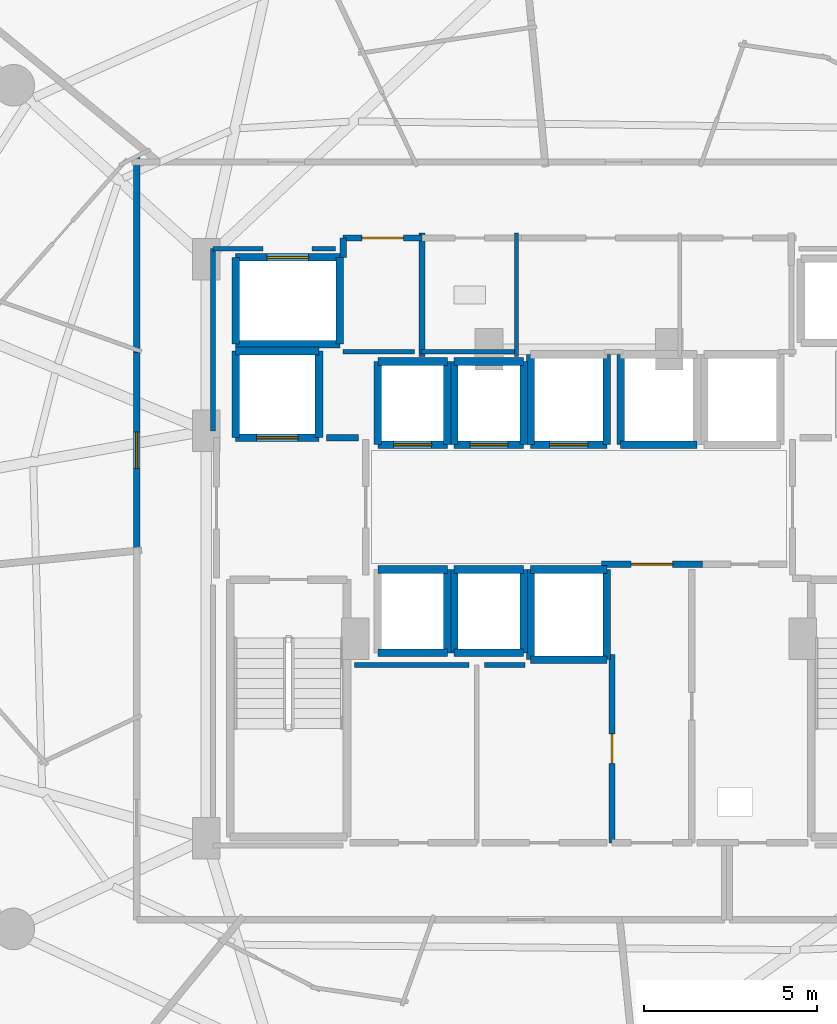
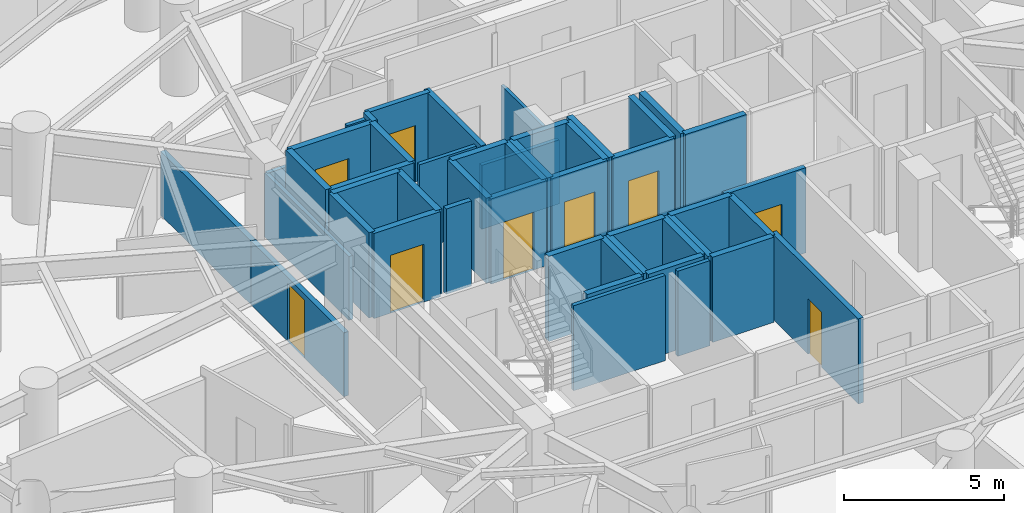
# One storey, part 24 of 30: 48 walls, 9 doors, 9 openings.
"""IFC4 building model written with IfcOpenShell, lengths in metres."""

from ifc_helpers import new_model, si_unit, direction, frame, frame_2d, origin, place, context, subcontext, project, spatial, rectangle, extrude, material, layer, layer_set, type_object, element, fill, save


model = new_model("IFC4")

# Units and contexts
model_context = context("Model", 3, precision=1e-05, world=origin(), true_north=direction((0.0, 1.0)))
body_context = subcontext(model_context, "Body", "Model", "MODEL_VIEW")
ifc_project = project(units=[si_unit("LENGTHUNIT", "METRE"), si_unit("AREAUNIT", "SQUARE_METRE"), si_unit("VOLUMEUNIT", "CUBIC_METRE"), si_unit("PLANEANGLEUNIT", "RADIAN"), si_unit("MASSUNIT", "GRAM", prefix="KILO")], contexts=[model_context])

# Site, building, storey
site_placement = place(None, origin())
site = spatial("IfcSite", under=ifc_project, at=site_placement, CompositionType="ELEMENT")
building_placement = place(site_placement, origin())
building = spatial("IfcBuilding", under=site, at=building_placement, Name="Vorneva Point Tower", CompositionType="ELEMENT")
storey_placement = place(building_placement, frame((0.0, 0.0, 55.5)))
storey = spatial("IfcBuildingStorey", under=building, at=storey_placement, Name="L14", CompositionType="ELEMENT", Elevation=55.5)

# Wall, opening, door
ifc_material_1 = material(Name="Concrete B60 (C50/60)", Category="concrete")
ifc_layer_1 = layer(ifc_material_1, 0.5)
ifc_layer_set_1 = layer_set([ifc_layer_1], Name="Concrete B60 (C50/60)")
wall_type_1 = type_object("IfcWallType", Name="WL-CORE-500", PredefinedType="SHEAR", material=ifc_layer_set_1)
wall_1_placement = place(storey_placement, frame((28.10009765625, 28.0, 0.0), z_axis=(0.0, 0.0, 1.0), x_axis=(1.0, 0.0, 0.0)))
wall_1 = element("IfcWall", 1, at=wall_1_placement, inside=storey, type_object=wall_type_1, Name="L14 Lift FFL1 Shaft Wall -Y", PredefinedType="SHEAR", context=body_context, shape_type="SweptSolid", body=[
    extrude(rectangle(XDim=2.39990234375, YDim=0.219970703125, at=frame_2d((1.199951171875, 0.0))), origin(), (0.0, 0.0, 1.0), 3.239990234375),
])
opening_1_placement = place(wall_1_placement, frame((0.60009765625, 0.0, 0.0)))
opening_1 = element("IfcOpeningElement", 2, at=opening_1_placement, cuts=wall_1, Name="Opening LD-02", PredefinedType="OPENING", context=body_context, shape_type="SweptSolid", body=[
    extrude(rectangle(XDim=1.199951171875, YDim=2.199951171875, at=frame_2d((0.60009765625, 1.10009765625))), frame((0.0, 0.125, 0.0), z_axis=(0.0, -1.0, 0.0), x_axis=(1.0, 0.0, 0.0)), (0.0, 0.0, 1.0), 0.249755859375),
])
ifc_material_2 = material(Name="Brushed stainless steel S304", Category="steel")
door_type_1 = type_object("IfcDoorType", Name="LD-FIRE-1200", OperationType="SLIDING_TO_LEFT", PredefinedType="DOOR", material=ifc_material_2)
door_1_placement = place(opening_1_placement, origin())
door_1 = element("IfcDoor", 3, at=door_1_placement, inside=storey, type_object=door_type_1, Name="L14 Lift FFL1 Sliding Landing Door", OperationType="SLIDING_TO_LEFT", OverallHeight=2.199951171875, OverallWidth=1.199951171875, PredefinedType="DOOR", context=body_context, shape_type="SweptSolid", body=[
    extrude(rectangle(XDim=1.199951171875, YDim=2.199951171875, at=frame_2d((0.60009765625, 1.10009765625))), frame((0.0, 0.02490234375, 0.0), z_axis=(0.0, -1.0, 0.0), x_axis=(1.0, 0.0, 0.0)), (0.0, 0.0, 1.0), 0.050048828125),
])
fill(opening_1, door_1)

# Walls
wall_2_placement = place(storey_placement, frame((30.5, 28.0, 0.0), z_axis=(0.0, 0.0, 1.0), x_axis=(0.0, 1.0, 0.0)))
element("IfcWall", 4, at=wall_2_placement, inside=storey, type_object=wall_type_1, Name="L14 Lift FFL1 Shaft Wall +X", PredefinedType="SHEAR", context=body_context, shape_type="SweptSolid", body=[
    extrude(rectangle(XDim=2.5, YDim=0.219970703125, at=frame_2d((1.25, 0.0))), origin(), (0.0, 0.0, 1.0), 3.239990234375),
])
wall_3_placement = place(storey_placement, frame((30.5, 30.5, 0.0), z_axis=(0.0, 0.0, 1.0), x_axis=(-1.0, 0.0, 0.0)))
element("IfcWall", 5, at=wall_3_placement, inside=storey, type_object=wall_type_1, Name="L14 Lift FFL1 Shaft Wall +Y", PredefinedType="SHEAR", context=body_context, shape_type="SweptSolid", body=[
    extrude(rectangle(XDim=2.39990234375, YDim=0.219970703125, at=frame_2d((1.199951171875, 0.0))), origin(), (0.0, 0.0, 1.0), 3.239990234375),
])
wall_4_placement = place(storey_placement, frame((28.10009765625, 30.5, 0.0), z_axis=(0.0, 0.0, 1.0), x_axis=(0.0, -1.0, 0.0)))
element("IfcWall", 6, at=wall_4_placement, inside=storey, type_object=wall_type_1, Name="L14 Lift FFL1 Shaft Wall -X", PredefinedType="SHEAR", context=body_context, shape_type="SweptSolid", body=[
    extrude(rectangle(XDim=2.5, YDim=0.219970703125, at=frame_2d((1.25, 0.0))), origin(), (0.0, 0.0, 1.0), 3.239990234375),
])
ifc_material_3 = material(Name="Fire-rated acoustic gypsum stud partition", Category="gypsum")
ifc_layer_2 = layer(ifc_material_3, 0.110107421875)
ifc_layer_set_2 = layer_set([ifc_layer_2], Name="Fire-rated acoustic gypsum stud partition")
wall_type_2 = type_object("IfcWallType", Name="WL-PART-110", PredefinedType="PARTITIONING", material=ifc_layer_set_2)
wall_5_placement = place(storey_placement, frame((36.199951171875, 30.340087890625, 0.0), z_axis=(0.0, 0.0, 1.0), x_axis=(0.0, 1.0, 0.0)))
element("IfcWall", 7, at=wall_5_placement, inside=storey, type_object=wall_type_2, Name="L14 Interior Partition 015", PredefinedType="PARTITIONING", context=body_context, shape_type="SweptSolid", body=[
    extrude(rectangle(XDim=3.559814453125, YDim=0.110107421875, at=frame_2d((1.77978515625, 0.0))), origin(), (0.0, 0.0, 1.0), 2.431884765625),
])
ifc_layer_3 = layer(ifc_material_3, 0.139892578125)
ifc_layer_set_3 = layer_set([ifc_layer_3], Name="Fire-rated acoustic gypsum stud partition")
wall_type_3 = type_object("IfcWallType", Name="WL-PART-140", PredefinedType="PARTITIONING", material=ifc_layer_set_3)
wall_6_placement = place(storey_placement, frame((31.199951171875, 30.47998046875, 0.0), z_axis=(0.0, 0.0, 1.0), x_axis=(1.0, 0.0, 0.0)))
element("IfcWall", 8, at=wall_6_placement, inside=storey, type_object=wall_type_3, Name="L14 Interior Closure Partition 097", PredefinedType="PARTITIONING", context=body_context, shape_type="SweptSolid", body=[
    extrude(rectangle(XDim=2.050048828125, YDim=0.139892578125, at=frame_2d((1.02490234375, 0.0))), origin(), (0.0, 0.0, 1.0), 3.239990234375),
])
wall_7_placement = place(storey_placement, frame((33.43994140625, 30.47998046875, 0.0), z_axis=(0.0, 0.0, 1.0), x_axis=(1.0, 0.0, 0.0)))
element("IfcWall", 9, at=wall_7_placement, inside=storey, type_object=wall_type_3, Name="L14 Interior Closure Partition 098", PredefinedType="PARTITIONING", context=body_context, shape_type="SweptSolid", body=[
    extrude(rectangle(XDim=2.7900390625, YDim=0.139892578125, at=frame_2d((1.39501953125, 0.0))), origin(), (0.0, 0.0, 1.0), 2.431884765625),
])
wall_8_placement = place(storey_placement, frame((34.830078125, 21.449951171875, 0.0), z_axis=(0.0, 0.0, 1.0), x_axis=(-1.0, 0.0, 0.0)))
element("IfcWall", 10, at=wall_8_placement, inside=storey, type_object=wall_type_3, Name="L14 Interior Closure Partition 102", PredefinedType="PARTITIONING", context=body_context, shape_type="SweptSolid", body=[
    extrude(rectangle(XDim=3.300048828125, YDim=0.139892578125, at=frame_2d((1.64990234375, 0.0))), origin(), (0.0, 0.0, 1.0), 3.239990234375),
])
wall_9_placement = place(storey_placement, frame((36.43896484375, 21.449951171875, 0.0), z_axis=(0.0, 0.0, 1.0), x_axis=(-1.0, 0.0, 0.0)))
element("IfcWall", 11, at=wall_9_placement, inside=storey, type_object=wall_type_3, Name="L14 Interior Closure Partition 103", PredefinedType="PARTITIONING", context=body_context, shape_type="SweptSolid", body=[
    extrude(rectangle(XDim=1.158935546875, YDim=0.139892578125, at=frame_2d((0.57958984375, 0.0))), origin(), (0.0, 0.0, 1.0), 3.239990234375),
])
wall_10_placement = place(storey_placement, frame((27.449951171875, 28.196044921875, 0.0), z_axis=(0.0, 0.0, 1.0), x_axis=(0.0, 1.0, 0.0)))
element("IfcWall", 12, at=wall_10_placement, inside=storey, type_object=wall_type_3, Name="L14 Interior Closure Partition 110", PredefinedType="PARTITIONING", context=body_context, shape_type="SweptSolid", body=[
    extrude(rectangle(XDim=5.25390625, YDim=0.139892578125, at=frame_2d((2.626953125, 0.0))), origin(), (0.0, 0.0, 1.0), 2.431884765625),
])
wall_11_placement = place(storey_placement, frame((27.449951171875, 33.449951171875, 0.0), z_axis=(0.0, 0.0, 1.0), x_axis=(1.0, 0.0, 0.0)))
element("IfcWall", 13, at=wall_11_placement, inside=storey, type_object=wall_type_3, Name="L14 Interior Closure Partition 111", PredefinedType="PARTITIONING", context=body_context, shape_type="SweptSolid", body=[
    extrude(rectangle(XDim=1.444091796875, YDim=0.139892578125, at=frame_2d((0.72216796875, 0.0))), origin(), (0.0, 0.0, 1.0), 2.431884765625),
])
wall_12_placement = place(storey_placement, frame((30.305908203125, 33.449951171875, 0.0), z_axis=(0.0, 0.0, 1.0), x_axis=(1.0, 0.0, 0.0)))
element("IfcWall", 14, at=wall_12_placement, inside=storey, type_object=wall_type_3, Name="L14 Interior Closure Partition 112", PredefinedType="PARTITIONING", context=body_context, shape_type="SweptSolid", body=[
    extrude(rectangle(XDim=0.674072265625, YDim=0.139892578125, at=frame_2d((0.3369140625, 0.0))), origin(), (0.0, 0.0, 1.0), 3.239990234375),
])
ifc_material_4 = material(Name="Autoclaved aerated concrete blockwork", Category="masonry")
ifc_layer_4 = layer(ifc_material_4, 0.179931640625)
ifc_layer_set_4 = layer_set([ifc_layer_4], Name="Autoclaved aerated concrete blockwork")
wall_type_4 = type_object("IfcWallType", Name="WL-PART-180", PredefinedType="PARTITIONING", material=ifc_layer_set_4)
wall_13_placement = place(storey_placement, frame((33.469970703125, 30.340087890625, 0.0), z_axis=(0.0, 0.0, 1.0), x_axis=(0.0, 1.0, 0.0)))
element("IfcWall", 15, at=wall_13_placement, inside=storey, type_object=wall_type_4, Name="L14 Interior Partition 006", PredefinedType="PARTITIONING", context=body_context, shape_type="SweptSolid", body=[
    extrude(rectangle(XDim=3.559814453125, YDim=0.179931640625, at=frame_2d((1.77978515625, 0.0))), origin(), (0.0, 0.0, 1.0), 3.239990234375),
])

# Wall, opening, door
wall_14_placement = place(storey_placement, frame((33.469970703125, 33.760009765625, 0.0), z_axis=(0.0, 0.0, 1.0), x_axis=(-1.0, 0.0, 0.0)))
wall_14 = element("IfcWall", 16, at=wall_14_placement, inside=storey, type_object=wall_type_4, Name="L14 Interior Partition 007", PredefinedType="PARTITIONING", context=body_context, shape_type="SweptSolid", body=[
    extrude(rectangle(XDim=2.27001953125, YDim=0.179931640625, at=frame_2d((1.135009765625, 0.0))), origin(), (0.0, 0.0, 1.0), 3.239990234375),
])
opening_2_placement = place(wall_14_placement, frame((0.534912109375, 0.0, 0.0)))
opening_2 = element("IfcOpeningElement", 17, at=opening_2_placement, cuts=wall_14, Name="Opening FD-02", PredefinedType="OPENING", context=body_context, shape_type="SweptSolid", body=[
    extrude(rectangle(XDim=1.199951171875, YDim=2.14990234375, at=frame_2d((0.60009765625, 1.074951171875))), frame((0.0, 0.10498046875, 0.0), z_axis=(0.0, -1.0, 0.0), x_axis=(1.0, 0.0, 0.0)), (0.0, 0.0, 1.0), 0.209716796875),
])
ifc_material_5 = material(Name="Fire-rated powder-coated steel", Category="steel")
door_type_2 = type_object("IfcDoorType", Name="DR-FFL-1200", OperationType="NOTDEFINED", PredefinedType="DOOR", material=ifc_material_5)
door_2_placement = place(opening_2_placement, origin())
door_2 = element("IfcDoor", 18, at=door_2_placement, inside=storey, type_object=door_type_2, Name="L14 Door Service Lift Lobby / L14 Circulation Corridor", OperationType="SINGLE_SWING_RIGHT", OverallHeight=2.14990234375, OverallWidth=1.199951171875, PredefinedType="DOOR", context=body_context, shape_type="SweptSolid", body=[
    extrude(rectangle(XDim=1.199951171875, YDim=2.14990234375, at=frame_2d((0.60009765625, 1.074951171875))), frame((0.0, 0.02490234375, 0.0), z_axis=(0.0, -1.0, 0.0), x_axis=(1.0, 0.0, 0.0)), (0.0, 0.0, 1.0), 0.050048828125),
])
fill(opening_2, door_2)

# Wall
wall_15_placement = place(storey_placement, frame((31.199951171875, 33.760009765625, 0.0), z_axis=(0.0, 0.0, 1.0), x_axis=(0.0, -1.0, 0.0)))
element("IfcWall", 19, at=wall_15_placement, inside=storey, type_object=wall_type_4, Name="L14 Interior Partition 008", PredefinedType="PARTITIONING", context=body_context, shape_type="SweptSolid", body=[
    extrude(rectangle(XDim=0.56005859375, YDim=0.179931640625, at=frame_2d((0.280029296875, 0.0))), origin(), (0.0, 0.0, 1.0), 3.239990234375),
])

# Wall, opening, door
wall_16_placement = place(storey_placement, frame((38.64501953125, 24.35009765625, 0.0), z_axis=(0.0, 0.0, 1.0), x_axis=(1.0, 0.0, 0.0)))
wall_16 = element("IfcWall", 20, at=wall_16_placement, inside=storey, type_object=wall_type_4, Name="L14 Interior Partition 009", PredefinedType="PARTITIONING", context=body_context, shape_type="SweptSolid", body=[
    extrude(rectangle(XDim=2.909912109375, YDim=0.179931640625, at=frame_2d((1.455078125, 0.0))), origin(), (0.0, 0.0, 1.0), 3.239990234375),
])
opening_3_placement = place(wall_16_placement, frame((0.85498046875, 0.0, 0.0)))
opening_3 = element("IfcOpeningElement", 21, at=opening_3_placement, cuts=wall_16, Name="Opening FD-02", PredefinedType="OPENING", context=body_context, shape_type="SweptSolid", body=[
    extrude(rectangle(XDim=1.199951171875, YDim=2.14990234375, at=frame_2d((0.60009765625, 1.074951171875))), frame((0.0, 0.10498046875, 0.0), z_axis=(0.0, -1.0, 0.0), x_axis=(1.0, 0.0, 0.0)), (0.0, 0.0, 1.0), 0.209716796875),
])
door_3_placement = place(opening_3_placement, origin())
door_3 = element("IfcDoor", 22, at=door_3_placement, inside=storey, type_object=door_type_2, Name="L14 Door Central Lift Lobby / Core Service Lobby", OperationType="SINGLE_SWING_LEFT", OverallHeight=2.14990234375, OverallWidth=1.199951171875, PredefinedType="DOOR", context=body_context, shape_type="SweptSolid", body=[
    extrude(rectangle(XDim=1.199951171875, YDim=2.14990234375, at=frame_2d((0.60009765625, 1.074951171875))), frame((0.0, 0.02490234375, 0.0), z_axis=(0.0, -1.0, 0.0), x_axis=(1.0, 0.0, 0.0)), (0.0, 0.0, 1.0), 0.050048828125),
])
fill(opening_3, door_3)

wall_17_placement = place(storey_placement, frame((38.949951171875, 21.7548828125, 0.0), z_axis=(0.0, 0.0, 1.0), x_axis=(0.0, -1.0, 0.0)))
wall_17 = element("IfcWall", 23, at=wall_17_placement, inside=storey, type_object=wall_type_4, Name="L14 Interior Partition 012", PredefinedType="PARTITIONING", context=body_context, shape_type="SweptSolid", body=[
    extrude(rectangle(XDim=5.434814453125, YDim=0.179931640625, at=frame_2d((2.71728515625, 0.0))), origin(), (0.0, 0.0, 1.0), 3.239990234375),
])
opening_4_placement = place(wall_17_placement, frame((2.29248046875, 0.0, 0.0)))
opening_4 = element("IfcOpeningElement", 24, at=opening_4_placement, cuts=wall_17, Name="Opening ID-02", PredefinedType="OPENING", context=body_context, shape_type="SweptSolid", body=[
    extrude(rectangle(XDim=0.85009765625, YDim=2.10009765625, at=frame_2d((0.425048828125, 1.050048828125))), frame((0.0, 0.10498046875, 0.0), z_axis=(0.0, -1.0, 0.0), x_axis=(1.0, 0.0, 0.0)), (0.0, 0.0, 1.0), 0.209716796875),
])
ifc_material_6 = material(Name="Engineered oak fire-rated door leaf", Category="wood")
door_type_3 = type_object("IfcDoorType", Name="DR-BATH-850", OperationType="NOTDEFINED", PredefinedType="DOOR", material=ifc_material_6)
door_4_placement = place(opening_4_placement, origin())
door_4 = element("IfcDoor", 25, at=door_4_placement, inside=storey, type_object=door_type_3, Name="L14 Door Core Service Lobby / Linen Store", OperationType="SINGLE_SWING_RIGHT", OverallHeight=2.10009765625, OverallWidth=0.85009765625, PredefinedType="DOOR", context=body_context, shape_type="SweptSolid", body=[
    extrude(rectangle(XDim=0.85009765625, YDim=2.10009765625, at=frame_2d((0.425048828125, 1.050048828125))), frame((0.0, 0.02490234375, 0.0), z_axis=(0.0, -1.0, 0.0), x_axis=(1.0, 0.0, 0.0)), (0.0, 0.0, 1.0), 0.050048828125),
])
fill(opening_4, door_4)

wall_18_placement = place(storey_placement, frame((25.25, 30.597900390625, 0.0), z_axis=(0.0, 0.0, 1.0), x_axis=(0.0, -1.0, 0.0)))
wall_18 = element("IfcWall", 26, at=wall_18_placement, inside=storey, type_object=wall_type_4, Name="L14 Interior Partition 031", PredefinedType="PARTITIONING", context=body_context, shape_type="SweptSolid", body=[
    extrude(rectangle(XDim=5.913818359375, YDim=0.179931640625, at=frame_2d((2.95703125, 0.0))), origin(), (0.0, 0.0, 1.0), 2.431884765625),
])
opening_5_placement = place(wall_18_placement, frame((2.431884765625, 0.0, 0.0)))
opening_5 = element("IfcOpeningElement", 27, at=opening_5_placement, cuts=wall_18, Name="Opening UD-02", PredefinedType="OPENING", context=body_context, shape_type="SweptSolid", body=[
    extrude(rectangle(XDim=1.050048828125, YDim=2.199951171875, at=frame_2d((0.52490234375, 1.10009765625))), frame((0.0, 0.10498046875, 0.0), z_axis=(0.0, -1.0, 0.0), x_axis=(1.0, 0.0, 0.0)), (0.0, 0.0, 1.0), 0.209716796875),
])
door_type_4 = type_object("IfcDoorType", Name="DR-SUITE-1050", OperationType="NOTDEFINED", PredefinedType="DOOR", material=ifc_material_6)
door_5_placement = place(opening_5_placement, origin())
door_5 = element("IfcDoor", 28, at=door_5_placement, inside=storey, type_object=door_type_4, Name="L14 Door L14 Circulation Corridor / Junior Suite L14-04", OperationType="SINGLE_SWING_LEFT", OverallHeight=2.199951171875, OverallWidth=1.050048828125, PredefinedType="DOOR", context=body_context, shape_type="SweptSolid", body=[
    extrude(rectangle(XDim=1.050048828125, YDim=2.199951171875, at=frame_2d((0.52490234375, 1.10009765625))), frame((0.0, 0.02490234375, 0.0), z_axis=(0.0, -1.0, 0.0), x_axis=(1.0, 0.0, 0.0)), (0.0, 0.0, 1.0), 0.050048828125),
])
fill(opening_5, door_5)

# Walls
wall_19_placement = place(storey_placement, frame((25.25, 36.090087890625, 0.0), z_axis=(0.0, 0.0, 1.0), x_axis=(0.0, -1.0, 0.0)))
element("IfcWall", 29, at=wall_19_placement, inside=storey, type_object=wall_type_4, Name="L14 Interior Partition 033", PredefinedType="PARTITIONING", context=body_context, shape_type="SweptSolid", body=[
    extrude(rectangle(XDim=5.632080078125, YDim=0.179931640625, at=frame_2d((2.81591796875, 0.0))), origin(), (0.0, 0.0, 1.0), 2.431884765625),
])
wall_20_placement = place(storey_placement, frame((31.635009765625, 28.0, 0.0), z_axis=(0.0, 0.0, 1.0), x_axis=(-1.0, 0.0, 0.0)))
element("IfcWall", 30, at=wall_20_placement, inside=storey, type_object=wall_type_4, Name="L14 Interior Closure Partition 095", PredefinedType="PARTITIONING", context=body_context, shape_type="SweptSolid", body=[
    extrude(rectangle(XDim=0.9150390625, YDim=0.179931640625, at=frame_2d((0.45751953125, 0.0))), origin(), (0.0, 0.0, 1.0), 3.239990234375),
])

# Wall, opening, door
ifc_material_7 = material(Name="Concrete B50 (C40/50)", Category="concrete")
ifc_layer_5 = layer(ifc_material_7, 0.219970703125)
ifc_layer_set_5 = layer_set([ifc_layer_5], Name="Concrete B50 (C40/50)")
wall_type_5 = type_object("IfcWallType", Name="WL-SHFT-220", PredefinedType="SOLIDWALL", material=ifc_layer_set_5)
wall_21_placement = place(storey_placement, frame((32.199951171875, 27.800048828125, 0.0), z_axis=(0.0, 0.0, 1.0), x_axis=(1.0, 0.0, 0.0)))
wall_21 = element("IfcWall", 31, at=wall_21_placement, inside=storey, type_object=wall_type_5, Name="L14 Lift PL1 Shaft Wall -Y", PredefinedType="SOLIDWALL", context=body_context, shape_type="SweptSolid", body=[
    extrude(rectangle(XDim=2.0, YDim=0.219970703125, at=frame_2d((1.0, 0.0))), origin(), (0.0, 0.0, 1.0), 3.239990234375),
])
opening_6_placement = place(wall_21_placement, frame((0.449951171875, 0.0, 0.0)))
opening_6 = element("IfcOpeningElement", 32, at=opening_6_placement, cuts=wall_21, Name="Opening LD-01", PredefinedType="OPENING", context=body_context, shape_type="SweptSolid", body=[
    extrude(rectangle(XDim=1.10009765625, YDim=2.199951171875, at=frame_2d((0.550048828125, 1.10009765625))), frame((0.0, 0.125, 0.0), z_axis=(0.0, -1.0, 0.0), x_axis=(1.0, 0.0, 0.0)), (0.0, 0.0, 1.0), 0.249755859375),
])
door_type_5 = type_object("IfcDoorType", Name="LD-PASS-1100", OperationType="SLIDING_TO_LEFT", PredefinedType="DOOR", material=ifc_material_2)
door_6_placement = place(opening_6_placement, origin())
door_6 = element("IfcDoor", 33, at=door_6_placement, inside=storey, type_object=door_type_5, Name="L14 Lift PL1 Sliding Landing Door", OperationType="SLIDING_TO_LEFT", OverallHeight=2.199951171875, OverallWidth=1.10009765625, PredefinedType="DOOR", context=body_context, shape_type="SweptSolid", body=[
    extrude(rectangle(XDim=1.10009765625, YDim=2.199951171875, at=frame_2d((0.550048828125, 1.10009765625))), frame((0.0, 0.02490234375, 0.0), z_axis=(0.0, -1.0, 0.0), x_axis=(1.0, 0.0, 0.0)), (0.0, 0.0, 1.0), 0.050048828125),
])
fill(opening_6, door_6)

# Walls
wall_22_placement = place(storey_placement, frame((34.199951171875, 27.800048828125, 0.0), z_axis=(0.0, 0.0, 1.0), x_axis=(0.0, 1.0, 0.0)))
element("IfcWall", 34, at=wall_22_placement, inside=storey, type_object=wall_type_5, Name="L14 Lift PL1 Shaft Wall +X", PredefinedType="SOLIDWALL", context=body_context, shape_type="SweptSolid", body=[
    extrude(rectangle(XDim=2.39990234375, YDim=0.219970703125, at=frame_2d((1.199951171875, 0.0))), origin(), (0.0, 0.0, 1.0), 3.239990234375),
])
wall_23_placement = place(storey_placement, frame((34.199951171875, 30.199951171875, 0.0), z_axis=(0.0, 0.0, 1.0), x_axis=(-1.0, 0.0, 0.0)))
element("IfcWall", 35, at=wall_23_placement, inside=storey, type_object=wall_type_5, Name="L14 Lift PL1 Shaft Wall +Y", PredefinedType="SOLIDWALL", context=body_context, shape_type="SweptSolid", body=[
    extrude(rectangle(XDim=2.0, YDim=0.219970703125, at=frame_2d((1.0, 0.0))), origin(), (0.0, 0.0, 1.0), 3.239990234375),
])
wall_24_placement = place(storey_placement, frame((32.199951171875, 30.199951171875, 0.0), z_axis=(0.0, 0.0, 1.0), x_axis=(0.0, -1.0, 0.0)))
element("IfcWall", 36, at=wall_24_placement, inside=storey, type_object=wall_type_5, Name="L14 Lift PL1 Shaft Wall -X", PredefinedType="SOLIDWALL", context=body_context, shape_type="SweptSolid", body=[
    extrude(rectangle(XDim=2.39990234375, YDim=0.219970703125, at=frame_2d((1.199951171875, 0.0))), origin(), (0.0, 0.0, 1.0), 3.239990234375),
])

# Wall, opening, door
wall_25_placement = place(storey_placement, frame((34.39990234375, 27.800048828125, 0.0), z_axis=(0.0, 0.0, 1.0), x_axis=(1.0, 0.0, 0.0)))
wall_25 = element("IfcWall", 37, at=wall_25_placement, inside=storey, type_object=wall_type_5, Name="L14 Lift PL2 Shaft Wall -Y", PredefinedType="SOLIDWALL", context=body_context, shape_type="SweptSolid", body=[
    extrude(rectangle(XDim=2.0, YDim=0.219970703125, at=frame_2d((1.0, 0.0))), origin(), (0.0, 0.0, 1.0), 3.239990234375),
])
opening_7_placement = place(wall_25_placement, frame((0.449951171875, 0.0, 0.0)))
opening_7 = element("IfcOpeningElement", 38, at=opening_7_placement, cuts=wall_25, Name="Opening LD-01", PredefinedType="OPENING", context=body_context, shape_type="SweptSolid", body=[
    extrude(rectangle(XDim=1.10009765625, YDim=2.199951171875, at=frame_2d((0.550048828125, 1.10009765625))), frame((0.0, 0.125, 0.0), z_axis=(0.0, -1.0, 0.0), x_axis=(1.0, 0.0, 0.0)), (0.0, 0.0, 1.0), 0.249755859375),
])
door_7_placement = place(opening_7_placement, origin())
door_7 = element("IfcDoor", 39, at=door_7_placement, inside=storey, type_object=door_type_5, Name="L14 Lift PL2 Sliding Landing Door", OperationType="SLIDING_TO_LEFT", OverallHeight=2.199951171875, OverallWidth=1.10009765625, PredefinedType="DOOR", context=body_context, shape_type="SweptSolid", body=[
    extrude(rectangle(XDim=1.10009765625, YDim=2.199951171875, at=frame_2d((0.550048828125, 1.10009765625))), frame((0.0, 0.02490234375, 0.0), z_axis=(0.0, -1.0, 0.0), x_axis=(1.0, 0.0, 0.0)), (0.0, 0.0, 1.0), 0.050048828125),
])
fill(opening_7, door_7)

# Walls
wall_26_placement = place(storey_placement, frame((36.39990234375, 27.800048828125, 0.0), z_axis=(0.0, 0.0, 1.0), x_axis=(0.0, 1.0, 0.0)))
element("IfcWall", 40, at=wall_26_placement, inside=storey, type_object=wall_type_5, Name="L14 Lift PL2 Shaft Wall +X", PredefinedType="SOLIDWALL", context=body_context, shape_type="SweptSolid", body=[
    extrude(rectangle(XDim=2.39990234375, YDim=0.219970703125, at=frame_2d((1.199951171875, 0.0))), origin(), (0.0, 0.0, 1.0), 3.239990234375),
])
wall_27_placement = place(storey_placement, frame((36.39990234375, 30.199951171875, 0.0), z_axis=(0.0, 0.0, 1.0), x_axis=(-1.0, 0.0, 0.0)))
element("IfcWall", 41, at=wall_27_placement, inside=storey, type_object=wall_type_5, Name="L14 Lift PL2 Shaft Wall +Y", PredefinedType="SOLIDWALL", context=body_context, shape_type="SweptSolid", body=[
    extrude(rectangle(XDim=2.0, YDim=0.219970703125, at=frame_2d((1.0, 0.0))), origin(), (0.0, 0.0, 1.0), 3.239990234375),
])
wall_28_placement = place(storey_placement, frame((34.39990234375, 30.199951171875, 0.0), z_axis=(0.0, 0.0, 1.0), x_axis=(0.0, -1.0, 0.0)))
element("IfcWall", 42, at=wall_28_placement, inside=storey, type_object=wall_type_5, Name="L14 Lift PL2 Shaft Wall -X", PredefinedType="SOLIDWALL", context=body_context, shape_type="SweptSolid", body=[
    extrude(rectangle(XDim=2.39990234375, YDim=0.219970703125, at=frame_2d((1.199951171875, 0.0))), origin(), (0.0, 0.0, 1.0), 3.239990234375),
])

# Wall, opening, door
wall_29_placement = place(storey_placement, frame((36.60009765625, 27.800048828125, 0.0), z_axis=(0.0, 0.0, 1.0), x_axis=(1.0, 0.0, 0.0)))
wall_29 = element("IfcWall", 43, at=wall_29_placement, inside=storey, type_object=wall_type_5, Name="L14 Lift PL3 Shaft Wall -Y", PredefinedType="SOLIDWALL", context=body_context, shape_type="SweptSolid", body=[
    extrude(rectangle(XDim=2.199951171875, YDim=0.219970703125, at=frame_2d((1.10009765625, 0.0))), origin(), (0.0, 0.0, 1.0), 3.239990234375),
])
opening_8_placement = place(wall_29_placement, frame((0.550048828125, 0.0, 0.0)))
opening_8 = element("IfcOpeningElement", 44, at=opening_8_placement, cuts=wall_29, Name="Opening LD-01", PredefinedType="OPENING", context=body_context, shape_type="SweptSolid", body=[
    extrude(rectangle(XDim=1.10009765625, YDim=2.199951171875, at=frame_2d((0.550048828125, 1.10009765625))), frame((0.0, 0.125, 0.0), z_axis=(0.0, -1.0, 0.0), x_axis=(1.0, 0.0, 0.0)), (0.0, 0.0, 1.0), 0.249755859375),
])
door_8_placement = place(opening_8_placement, origin())
door_8 = element("IfcDoor", 45, at=door_8_placement, inside=storey, type_object=door_type_5, Name="L14 Lift PL3 Sliding Landing Door", OperationType="SLIDING_TO_LEFT", OverallHeight=2.199951171875, OverallWidth=1.10009765625, PredefinedType="DOOR", context=body_context, shape_type="SweptSolid", body=[
    extrude(rectangle(XDim=1.10009765625, YDim=2.199951171875, at=frame_2d((0.550048828125, 1.10009765625))), frame((0.0, 0.02490234375, 0.0), z_axis=(0.0, -1.0, 0.0), x_axis=(1.0, 0.0, 0.0)), (0.0, 0.0, 1.0), 0.050048828125),
])
fill(opening_8, door_8)

# Walls
for number, where, z_axis, x_axis, name in (
    (46, (38.800048828125, 27.800048828125, 0.0), (0.0, 0.0, 1.0), (0.0, 1.0, 0.0), "L14 Lift PL3 Shaft Wall +X"),
    (47, (36.60009765625, 30.39990234375, 0.0), (0.0, 0.0, 1.0), (0.0, -1.0, 0.0), "L14 Lift PL3 Shaft Wall -X"),
):
    element("IfcWall", number, at=place(storey_placement, frame(where, z_axis=z_axis, x_axis=x_axis)), inside=storey, type_object=wall_type_5, Name=name, PredefinedType="SOLIDWALL", context=body_context, shape_type="SweptSolid", body=[
        extrude(rectangle(XDim=2.599853515625, YDim=0.219970703125, at=frame_2d((1.2998046875, 0.0))), origin(), (0.0, 0.0, 1.0), 3.239990234375),
    ])
wall_30_placement = place(storey_placement, frame((32.199951171875, 21.800048828125, 0.0), z_axis=(0.0, 0.0, 1.0), x_axis=(1.0, 0.0, 0.0)))
element("IfcWall", 48, at=wall_30_placement, inside=storey, type_object=wall_type_5, Name="L14 Lift PL4 Shaft Wall -Y", PredefinedType="SOLIDWALL", context=body_context, shape_type="SweptSolid", body=[
    extrude(rectangle(XDim=2.0, YDim=0.219970703125, at=frame_2d((1.0, 0.0))), origin(), (0.0, 0.0, 1.0), 3.239990234375),
])
wall_31_placement = place(storey_placement, frame((34.199951171875, 21.800048828125, 0.0), z_axis=(0.0, 0.0, 1.0), x_axis=(0.0, 1.0, 0.0)))
element("IfcWall", 49, at=wall_31_placement, inside=storey, type_object=wall_type_5, Name="L14 Lift PL4 Shaft Wall +X", PredefinedType="SOLIDWALL", context=body_context, shape_type="SweptSolid", body=[
    extrude(rectangle(XDim=2.39990234375, YDim=0.219970703125, at=frame_2d((1.199951171875, 0.0))), origin(), (0.0, 0.0, 1.0), 3.239990234375),
])
for number, where, z_axis, x_axis, name in (
    (50, (34.199951171875, 24.199951171875, 0.0), (0.0, 0.0, 1.0), (-1.0, 0.0, 0.0), "L14 Lift PL4 Shaft Wall +Y"),
    (51, (34.39990234375, 21.800048828125, 0.0), (0.0, 0.0, 1.0), (1.0, 0.0, 0.0), "L14 Lift PL5 Shaft Wall -Y"),
):
    element("IfcWall", number, at=place(storey_placement, frame(where, z_axis=z_axis, x_axis=x_axis)), inside=storey, type_object=wall_type_5, Name=name, PredefinedType="SOLIDWALL", context=body_context, shape_type="SweptSolid", body=[
        extrude(rectangle(XDim=2.0, YDim=0.219970703125, at=frame_2d((1.0, 0.0))), origin(), (0.0, 0.0, 1.0), 3.239990234375),
    ])
wall_32_placement = place(storey_placement, frame((36.39990234375, 21.800048828125, 0.0), z_axis=(0.0, 0.0, 1.0), x_axis=(0.0, 1.0, 0.0)))
element("IfcWall", 52, at=wall_32_placement, inside=storey, type_object=wall_type_5, Name="L14 Lift PL5 Shaft Wall +X", PredefinedType="SOLIDWALL", context=body_context, shape_type="SweptSolid", body=[
    extrude(rectangle(XDim=2.39990234375, YDim=0.219970703125, at=frame_2d((1.199951171875, 0.0))), origin(), (0.0, 0.0, 1.0), 3.239990234375),
])
wall_33_placement = place(storey_placement, frame((36.39990234375, 24.199951171875, 0.0), z_axis=(0.0, 0.0, 1.0), x_axis=(-1.0, 0.0, 0.0)))
element("IfcWall", 53, at=wall_33_placement, inside=storey, type_object=wall_type_5, Name="L14 Lift PL5 Shaft Wall +Y", PredefinedType="SOLIDWALL", context=body_context, shape_type="SweptSolid", body=[
    extrude(rectangle(XDim=2.0, YDim=0.219970703125, at=frame_2d((1.0, 0.0))), origin(), (0.0, 0.0, 1.0), 3.239990234375),
])
wall_34_placement = place(storey_placement, frame((34.39990234375, 24.199951171875, 0.0), z_axis=(0.0, 0.0, 1.0), x_axis=(0.0, -1.0, 0.0)))
element("IfcWall", 54, at=wall_34_placement, inside=storey, type_object=wall_type_5, Name="L14 Lift PL5 Shaft Wall -X", PredefinedType="SOLIDWALL", context=body_context, shape_type="SweptSolid", body=[
    extrude(rectangle(XDim=2.39990234375, YDim=0.219970703125, at=frame_2d((1.199951171875, 0.0))), origin(), (0.0, 0.0, 1.0), 3.239990234375),
])
wall_35_placement = place(storey_placement, frame((36.60009765625, 21.60009765625, 0.0), z_axis=(0.0, 0.0, 1.0), x_axis=(1.0, 0.0, 0.0)))
element("IfcWall", 55, at=wall_35_placement, inside=storey, type_object=wall_type_5, Name="L14 Lift PL6 Shaft Wall -Y", PredefinedType="SOLIDWALL", context=body_context, shape_type="SweptSolid", body=[
    extrude(rectangle(XDim=2.199951171875, YDim=0.219970703125, at=frame_2d((1.10009765625, 0.0))), origin(), (0.0, 0.0, 1.0), 3.239990234375),
])
wall_36_placement = place(storey_placement, frame((38.800048828125, 21.60009765625, 0.0), z_axis=(0.0, 0.0, 1.0), x_axis=(0.0, 1.0, 0.0)))
element("IfcWall", 56, at=wall_36_placement, inside=storey, type_object=wall_type_5, Name="L14 Lift PL6 Shaft Wall +X", PredefinedType="SOLIDWALL", context=body_context, shape_type="SweptSolid", body=[
    extrude(rectangle(XDim=2.599853515625, YDim=0.219970703125, at=frame_2d((1.2998046875, 0.0))), origin(), (0.0, 0.0, 1.0), 3.239990234375),
])
wall_37_placement = place(storey_placement, frame((38.800048828125, 24.199951171875, 0.0), z_axis=(0.0, 0.0, 1.0), x_axis=(-1.0, 0.0, 0.0)))
element("IfcWall", 57, at=wall_37_placement, inside=storey, type_object=wall_type_5, Name="L14 Lift PL6 Shaft Wall +Y", PredefinedType="SOLIDWALL", context=body_context, shape_type="SweptSolid", body=[
    extrude(rectangle(XDim=2.199951171875, YDim=0.219970703125, at=frame_2d((1.10009765625, 0.0))), origin(), (0.0, 0.0, 1.0), 3.239990234375),
])
wall_38_placement = place(storey_placement, frame((36.60009765625, 24.199951171875, 0.0), z_axis=(0.0, 0.0, 1.0), x_axis=(0.0, -1.0, 0.0)))
element("IfcWall", 58, at=wall_38_placement, inside=storey, type_object=wall_type_5, Name="L14 Lift PL6 Shaft Wall -X", PredefinedType="SOLIDWALL", context=body_context, shape_type="SweptSolid", body=[
    extrude(rectangle(XDim=2.599853515625, YDim=0.219970703125, at=frame_2d((1.2998046875, 0.0))), origin(), (0.0, 0.0, 1.0), 3.239990234375),
])
wall_39_placement = place(storey_placement, frame((39.199951171875, 27.800048828125, 0.0), z_axis=(0.0, 0.0, 1.0), x_axis=(1.0, 0.0, 0.0)))
element("IfcWall", 59, at=wall_39_placement, inside=storey, type_object=wall_type_5, Name="L14 Lift PL7 Shaft Wall -Y", PredefinedType="SOLIDWALL", context=body_context, shape_type="SweptSolid", body=[
    extrude(rectangle(XDim=2.199951171875, YDim=0.219970703125, at=frame_2d((1.10009765625, 0.0))), origin(), (0.0, 0.0, 1.0), 3.239990234375),
])
wall_40_placement = place(storey_placement, frame((39.199951171875, 30.39990234375, 0.0), z_axis=(0.0, 0.0, 1.0), x_axis=(0.0, -1.0, 0.0)))
element("IfcWall", 60, at=wall_40_placement, inside=storey, type_object=wall_type_5, Name="L14 Lift PL7 Shaft Wall -X", PredefinedType="SOLIDWALL", context=body_context, shape_type="SweptSolid", body=[
    extrude(rectangle(XDim=2.599853515625, YDim=0.219970703125, at=frame_2d((1.2998046875, 0.0))), origin(), (0.0, 0.0, 1.0), 3.239990234375),
])
wall_41_placement = place(storey_placement, frame((28.10009765625, 30.699951171875, 0.0), z_axis=(0.0, 0.0, 1.0), x_axis=(1.0, 0.0, 0.0)))
element("IfcWall", 61, at=wall_41_placement, inside=storey, type_object=wall_type_5, Name="L14 Lift SVL1 Shaft Wall -Y", PredefinedType="SOLIDWALL", context=body_context, shape_type="SweptSolid", body=[
    extrude(rectangle(XDim=3.0, YDim=0.219970703125, at=frame_2d((1.5, 0.0))), origin(), (0.0, 0.0, 1.0), 3.239990234375),
])
wall_42_placement = place(storey_placement, frame((31.10009765625, 30.699951171875, 0.0), z_axis=(0.0, 0.0, 1.0), x_axis=(0.0, 1.0, 0.0)))
element("IfcWall", 62, at=wall_42_placement, inside=storey, type_object=wall_type_5, Name="L14 Lift SVL1 Shaft Wall +X", PredefinedType="SOLIDWALL", context=body_context, shape_type="SweptSolid", body=[
    extrude(rectangle(XDim=2.5, YDim=0.219970703125, at=frame_2d((1.25, 0.0))), origin(), (0.0, 0.0, 1.0), 3.239990234375),
])

# Wall, opening, door
wall_43_placement = place(storey_placement, frame((31.10009765625, 33.199951171875, 0.0), z_axis=(0.0, 0.0, 1.0), x_axis=(-1.0, 0.0, 0.0)))
wall_43 = element("IfcWall", 63, at=wall_43_placement, inside=storey, type_object=wall_type_5, Name="L14 Lift SVL1 Shaft Wall +Y", PredefinedType="SOLIDWALL", context=body_context, shape_type="SweptSolid", body=[
    extrude(rectangle(XDim=3.0, YDim=0.219970703125, at=frame_2d((1.5, 0.0))), origin(), (0.0, 0.0, 1.0), 3.239990234375),
])
opening_9_placement = place(wall_43_placement, frame((0.89990234375, 0.0, 0.0)))
opening_9 = element("IfcOpeningElement", 64, at=opening_9_placement, cuts=wall_43, Name="Opening LD-02", PredefinedType="OPENING", context=body_context, shape_type="SweptSolid", body=[
    extrude(rectangle(XDim=1.199951171875, YDim=2.199951171875, at=frame_2d((0.60009765625, 1.10009765625))), frame((0.0, 0.125, 0.0), z_axis=(0.0, -1.0, 0.0), x_axis=(1.0, 0.0, 0.0)), (0.0, 0.0, 1.0), 0.249755859375),
])
door_9_placement = place(opening_9_placement, origin())
door_9 = element("IfcDoor", 65, at=door_9_placement, inside=storey, type_object=door_type_1, Name="L14 Lift SVL1 Sliding Landing Door", OperationType="SLIDING_TO_LEFT", OverallHeight=2.199951171875, OverallWidth=1.199951171875, PredefinedType="DOOR", context=body_context, shape_type="SweptSolid", body=[
    extrude(rectangle(XDim=1.199951171875, YDim=2.199951171875, at=frame_2d((0.60009765625, 1.10009765625))), frame((0.0, 0.02490234375, 0.0), z_axis=(0.0, -1.0, 0.0), x_axis=(1.0, 0.0, 0.0)), (0.0, 0.0, 1.0), 0.050048828125),
])
fill(opening_9, door_9)

# Wall
wall_44_placement = place(storey_placement, frame((28.10009765625, 33.199951171875, 0.0), z_axis=(0.0, 0.0, 1.0), x_axis=(0.0, -1.0, 0.0)))
element("IfcWall", 66, at=wall_44_placement, inside=storey, type_object=wall_type_5, Name="L14 Lift SVL1 Shaft Wall -X", PredefinedType="SOLIDWALL", context=body_context, shape_type="SweptSolid", body=[
    extrude(rectangle(XDim=2.5, YDim=0.219970703125, at=frame_2d((1.25, 0.0))), origin(), (0.0, 0.0, 1.0), 3.239990234375),
])

save(model, "model.ifc")
